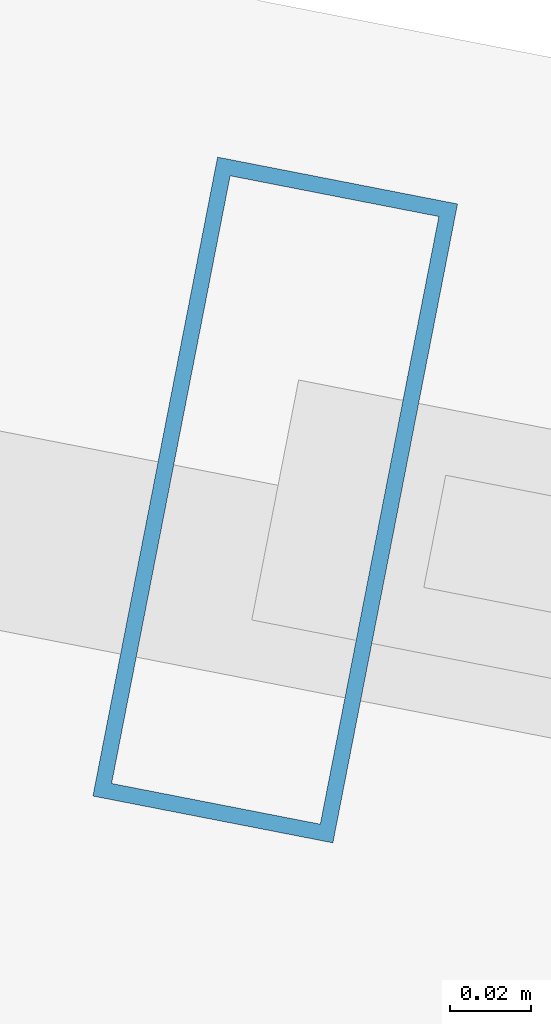
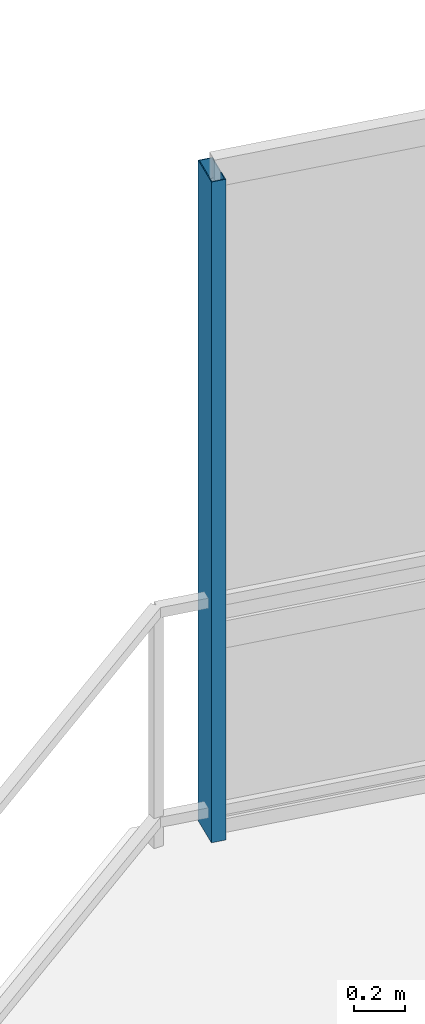
# One storey, part 19 of 33: 1 member, 1 element without a shape of its own.
"""IFC4 building model written with IfcOpenShell, lengths in metres."""

from ifc_helpers import new_model, si_unit, direction, frame, origin, origin_2d, place, context, subcontext, project, spatial, hollow_rectangle, extrude, material, layer, layer_set, material_profile, profile_set, type_object, element, aggregate, save


model = new_model("IFC4")

# Units and contexts
model_context = context("Model", 3, precision=1e-05, world=origin(), true_north=direction((0.0, 1.0)))
body_context = subcontext(model_context, "Body", "Model", "MODEL_VIEW")
ifc_project = project(units=[si_unit("LENGTHUNIT", "METRE"), si_unit("AREAUNIT", "SQUARE_METRE"), si_unit("VOLUMEUNIT", "CUBIC_METRE"), si_unit("PLANEANGLEUNIT", "RADIAN"), si_unit("MASSUNIT", "GRAM", prefix="KILO")], contexts=[model_context])

# Site, building, storey
site_placement = place(None, origin())
site = spatial("IfcSite", under=ifc_project, at=site_placement, CompositionType="ELEMENT")
building_placement = place(site_placement, origin())
building = spatial("IfcBuilding", under=site, at=building_placement, Name="Qarnah Convention Tower", CompositionType="ELEMENT")
storey_placement = place(building_placement, frame((0.0, 0.0, 27.0)))
storey = spatial("IfcBuildingStorey", under=building, at=storey_placement, Name="L05", CompositionType="ELEMENT", Elevation=27.0)

# Curtain wall, member
ifc_material_1 = material(Name="Tempered Low-E dark glass", Category="glass")
ifc_layer = layer(ifc_material_1, 0.16796875)
ifc_layer_set = layer_set([ifc_layer], Name="Tempered Low-E dark glass")
curtain_wall_type = type_object("IfcCurtainWallType", Name="CWS-01", PredefinedType="NOTDEFINED", material=ifc_layer_set)
curtain_wall_placement = place(storey_placement, origin())
curtain_wall = element("IfcCurtainWall", 1, at=curtain_wall_placement, inside=storey, type_object=curtain_wall_type, Name="L05 unitised curtain wall CW-L05-F2", PredefinedType="NOTDEFINED")
ifc_material_2 = material(Name="Black anodised aluminium", Category="aluminium")
ifc_material_profile = material_profile(ifc_material_2, hollow_rectangle(XDim=0.06005859375, YDim=0.159912109375, WallThickness=0.00390625, at=origin_2d()), Name="MUL-60X160")
ifc_profile_set = profile_set([ifc_material_profile], Name="Black anodised aluminium")
member_type = type_object("IfcMemberType", Name="MUL-T1", PredefinedType="MULLION", material=ifc_profile_set)
member_placement = place(storey_placement, frame((24.530029296875, 48.37109375, 0.0), z_axis=(0.0, 0.0, 1.0), x_axis=(0.981495298553, -0.191486236892, 0.0)))
member = element("IfcMember", 2, at=member_placement, type_object=member_type, Name="CW-L05-F2 mullion 1", PredefinedType="MULLION", context=body_context, shape_type="SweptSolid", body=[
    extrude(hollow_rectangle(XDim=0.06005859375, YDim=0.159912109375, WallThickness=0.00390625, at=origin_2d()), origin(), (0.0, 0.0, 1.0), 3.169921875),
])
aggregate(curtain_wall, [member])

save(model, "model.ifc")
